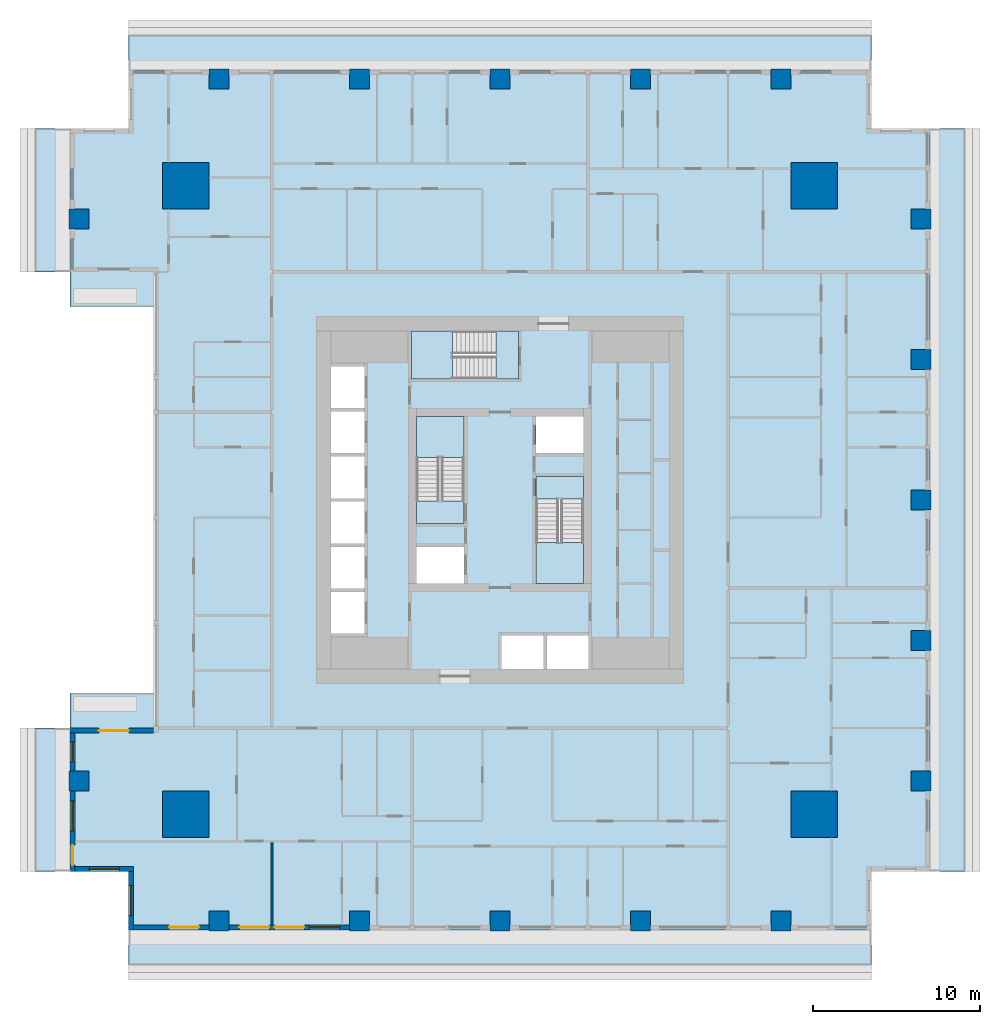
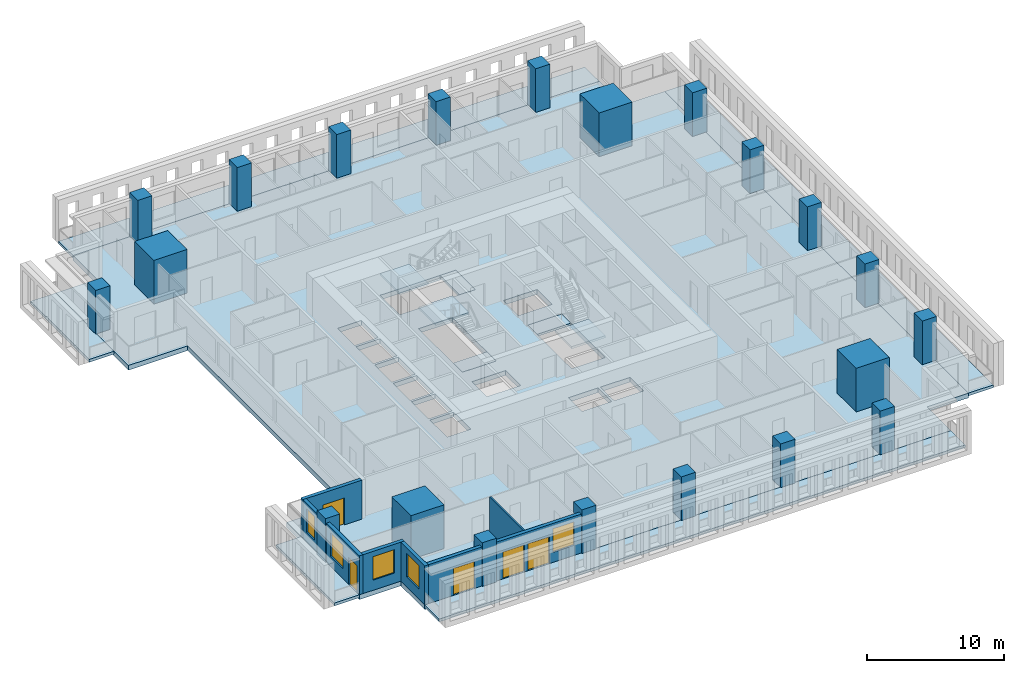
# One storey, part 1 of 15: 21 columns, 12 slabs, 8 walls, 5 doors, 5 windows, 10 openings, 3 elements without a shape of their own.
"""IFC4 building model written with IfcOpenShell, lengths in metres."""

import ifcopenshell
import ifcopenshell.guid

model = None  # the IFC model being written
_history = None  # IfcOwnerHistory: only IFC2X3 demands one
_inside = {}  # id of a spatial element -> (the spatial element, [elements in it])
_under = {}  # id of a project, library or spatial element -> (it, [spatial elements below it])
_declared = {}  # id of a project -> (the project, [libraries it declares])
_typed = {}  # id of a type object -> (the type object, [elements of that type])
_made_of = {}  # id of a material, layer set ... -> (it, [elements and type objects made of it])


def new_model(schema):
    """Start an empty IFC model of exactly this schema.

    Asked for "IFC4X3", IfcOpenShell would pick the latest addendum, in which some entities
    have other attributes; the version numbers below select the first issue.
    IFC2X3 requires an IfcOwnerHistory on every rooted entity: one is made here for all.
    """
    global model, _history
    if schema == "IFC4X3":
        model = ifcopenshell.file(schema_version=(4, 3, 0, 0))
    else:
        model = ifcopenshell.file(schema=schema)
    _inside.clear()
    _under.clear()
    _declared.clear()
    _typed.clear()
    _made_of.clear()
    _history = None
    if model.schema == "IFC2X3":
        org = make("IfcOrganization", Name="unknown")
        user = make(
            "IfcPersonAndOrganization",
            ThePerson=make("IfcPerson", FamilyName="unknown"),
            TheOrganization=org,
        )
        app = make(
            "IfcApplication",
            ApplicationDeveloper=org,
            Version="unknown",
            ApplicationFullName="unknown",
            ApplicationIdentifier="unknown",
        )
        _history = make(
            "IfcOwnerHistory",
            OwningUser=user,
            OwningApplication=app,
            ChangeAction="ADDED",
            CreationDate=0,
        )
    return model


def make(cls, **values):
    """One entity of the class cls with the attributes given. An attribute that is None is left unset."""
    return model.create_entity(
        cls, **{name: value for name, value in values.items() if value is not None}
    )


def rooted(cls, **values):
    """An entity with a GlobalId (a new one), such as an element, a storey or a relation."""
    return make(cls, GlobalId=ifcopenshell.guid.new(), OwnerHistory=_history, **values)


def si_unit(unit_type, name, prefix=None):
    """IfcSIUnit, for example si_unit("LENGTHUNIT", "METRE", prefix="MILLI")."""
    return make("IfcSIUnit", UnitType=unit_type, Prefix=prefix, Name=name)


def assignment(units):
    """IfcUnitAssignment: the units of a project."""
    return None if units is None else make("IfcUnitAssignment", Units=units)


def point(xyz):
    """IfcCartesianPoint."""
    return None if xyz is None else make("IfcCartesianPoint", Coordinates=xyz)


def direction(xyz):
    """IfcDirection."""
    return None if xyz is None else make("IfcDirection", DirectionRatios=xyz)


def frame(location, z_axis=None, x_axis=None):
    """IfcAxis2Placement3D, a coordinate frame: its origin and axes. An axis left out is left unset."""
    return make(
        "IfcAxis2Placement3D",
        Location=point(location),
        Axis=direction(z_axis),
        RefDirection=direction(x_axis),
    )


def frame_2d(location, x_axis=None):
    """IfcAxis2Placement2D, a coordinate frame in the plane: its origin and x axis."""
    return make(
        "IfcAxis2Placement2D", Location=point(location), RefDirection=direction(x_axis)
    )


def origin():
    """The frame at (0, 0, 0) with its axes left unset."""
    return frame((0.0, 0.0, 0.0))


def origin_2d():
    """The frame at (0, 0) in the plane with its x axis left unset."""
    return frame_2d((0.0, 0.0))


def place(relative_to, where):
    """IfcLocalPlacement: puts the frame where relative to a parent placement (None: the world)."""
    return make(
        "IfcLocalPlacement", PlacementRelTo=relative_to, RelativePlacement=where
    )


def context(
    kind, dimensions, precision=None, world=None, true_north=None, identifier=None
):
    """IfcGeometricRepresentationContext, for example the 3D "Model" context."""
    return make(
        "IfcGeometricRepresentationContext",
        ContextIdentifier=identifier,
        ContextType=kind,
        CoordinateSpaceDimension=dimensions,
        Precision=precision,
        WorldCoordinateSystem=world,
        TrueNorth=true_north,
    )


def subcontext(parent, identifier, kind, view, scale=None):
    """IfcGeometricRepresentationSubContext, for example "Body" below "Model"."""
    return make(
        "IfcGeometricRepresentationSubContext",
        ContextIdentifier=identifier,
        ContextType=kind,
        ParentContext=parent,
        TargetScale=scale,
        TargetView=view,
    )


def project(units=None, contexts=None):
    """IfcProject with its units and contexts."""
    return rooted(
        "IfcProject",
        Name="project",
        RepresentationContexts=contexts,
        UnitsInContext=assignment(units),
    )


def spatial(cls, under=None, at=None, **own):
    """A site, building, storey or space (cls), placed at a placement, below another one or the project."""
    s = rooted(cls, ObjectPlacement=at, **own)
    if under is not None:
        _under.setdefault(under.id(), (under, []))[1].append(s)
    return s


def polyline(points):
    """IfcPolyline through the points."""
    return make("IfcPolyline", Points=[point(p) for p in points])


def profile(cls, at=None, kind="AREA", **sizes):
    """A parametric profile (cls). Its sizes go by their IFC names, for example OverallWidth=200.0."""
    return make(cls, ProfileType=kind, Position=at, **sizes)


def rectangle(**sizes):
    """IfcRectangleProfileDef."""
    return profile("IfcRectangleProfileDef", **sizes)


def outline(outer, holes=None, kind="AREA"):
    """IfcArbitraryClosedProfileDef: a profile drawn as a closed curve; with holes, ...WithVoids."""
    if holes is None:
        return make("IfcArbitraryClosedProfileDef", ProfileType=kind, OuterCurve=outer)
    return make(
        "IfcArbitraryProfileDefWithVoids",
        ProfileType=kind,
        OuterCurve=outer,
        InnerCurves=holes,
    )


def extrude(swept, where, along, depth):
    """IfcExtrudedAreaSolid: the profile swept, set in the frame where, extruded along a direction by depth."""
    return make(
        "IfcExtrudedAreaSolid",
        SweptArea=swept,
        Position=where,
        ExtrudedDirection=direction(along),
        Depth=depth,
    )


def shape(context_of_items, identifier, shape_type, items):
    """IfcShapeRepresentation: the items that make up one representation, for example the "Body"."""
    return make(
        "IfcShapeRepresentation",
        ContextOfItems=context_of_items,
        RepresentationIdentifier=identifier,
        RepresentationType=shape_type,
        Items=items,
    )


def material(Name=None, Category=None):
    """IfcMaterial."""
    return make("IfcMaterial", Name=Name, Category=Category)


def layer(
    of_material, thickness, ventilated=None, Name=None, Category=None, Priority=None
):
    """IfcMaterialLayer: one layer of a wall or slab, of a material (None: an air gap)."""
    return make(
        "IfcMaterialLayer",
        Material=of_material,
        LayerThickness=thickness,
        IsVentilated=ventilated,
        Name=Name,
        Category=Category,
        Priority=Priority,
    )


def layer_set(layers, Name=None):
    """IfcMaterialLayerSet."""
    return make("IfcMaterialLayerSet", MaterialLayers=layers, LayerSetName=Name)


def material_profile(
    of_material, cross_section, Name=None, Category=None, Priority=None
):
    """IfcMaterialProfile: a cross section and its material."""
    return make(
        "IfcMaterialProfile",
        Name=Name,
        Material=of_material,
        Profile=cross_section,
        Priority=Priority,
        Category=Category,
    )


def profile_set(profiles, Name=None, composite=None):
    """IfcMaterialProfileSet."""
    return make(
        "IfcMaterialProfileSet",
        Name=Name,
        MaterialProfiles=profiles,
        CompositeProfile=composite,
    )


def made_of(thing, what):
    """Note that an element or type object is made of a material, layer set ...; save() writes the relation."""
    if what is not None:
        _made_of.setdefault(what.id(), (what, []))[1].append(thing)
    return thing


def type_object(cls, material=None, **own):
    """A type object (cls), such as IfcWallType, which elements share."""
    return made_of(rooted(cls, **own), material)


def element(
    cls,
    number,
    at=None,
    inside=None,
    cuts=None,
    type_object=None,
    material=None,
    context=None,
    identifier="Body",
    shape_type=None,
    held_by="IfcProductDefinitionShape",
    body=None,
    shapes=None,
    **own,
):
    """One element of the class cls, such as IfcWall. Its Tag is "e" and its number.

    at: its placement. inside: the storey or other place that contains it. cuts: it is an
    opening in that element (IfcRelVoidsElement). A single representation is given by context,
    identifier, shape_type and body (its items); several are given by shapes. held_by: the class
    of the entity that holds the representations. save() writes the other relations.
    """
    e = rooted(cls, Tag="e%d" % number, ObjectPlacement=at, **own)
    if body is not None:
        shapes = [shape(context, identifier, shape_type, body)]
    if shapes is not None:
        e.Representation = make(held_by, Representations=shapes)
    if inside is not None:
        _inside.setdefault(inside.id(), (inside, []))[1].append(e)
    if cuts is not None:
        rooted(
            "IfcRelVoidsElement", RelatingBuildingElement=cuts, RelatedOpeningElement=e
        )
    if type_object is not None:
        _typed.setdefault(type_object.id(), (type_object, []))[1].append(e)
    return made_of(e, material)


def fill(opening, filler):
    """IfcRelFillsElement: the door or window that sits in an opening."""
    return rooted(
        "IfcRelFillsElement",
        RelatingOpeningElement=opening,
        RelatedBuildingElement=filler,
    )


def aggregate(whole, parts):
    """IfcRelAggregates: a whole, such as a stair, and the parts it consists of."""
    return rooted("IfcRelAggregates", RelatingObject=whole, RelatedObjects=parts)


def save(model, path):
    """Write the relations noted so far, then the file.

    IfcRelAggregates (storeys below a building ...), IfcRelContainedInSpatialStructure (elements
    in a storey), IfcRelDefinesByType, IfcRelAssociatesMaterial and IfcRelDeclares: one each for
    every whole, place, type object, material and project.
    """
    for whole, parts in _under.values():
        aggregate(whole, parts)
    for where, things in _inside.values():
        rooted(
            "IfcRelContainedInSpatialStructure",
            RelatedElements=things,
            RelatingStructure=where,
        )
    for kind, things in _typed.values():
        rooted("IfcRelDefinesByType", RelatedObjects=things, RelatingType=kind)
    for what, things in _made_of.values():
        rooted("IfcRelAssociatesMaterial", RelatedObjects=things, RelatingMaterial=what)
    for by, libraries in _declared.values():
        rooted("IfcRelDeclares", RelatingContext=by, RelatedDefinitions=libraries)
    model.write(path)


model = new_model("IFC4")

# Units and contexts
model_context = context("Model", 3, precision=1e-05, world=origin(), true_north=direction((0.0, 1.0)))
body_context = subcontext(model_context, "Body", "Model", "MODEL_VIEW")
ifc_project = project(units=[si_unit("LENGTHUNIT", "METRE"), si_unit("AREAUNIT", "SQUARE_METRE"), si_unit("VOLUMEUNIT", "CUBIC_METRE"), si_unit("PLANEANGLEUNIT", "RADIAN"), si_unit("MASSUNIT", "GRAM", prefix="KILO")], contexts=[model_context])

# Site, building, storey
site_placement = place(None, origin())
site = spatial("IfcSite", under=ifc_project, at=site_placement, CompositionType="ELEMENT")
building_placement = place(site_placement, origin())
building = spatial("IfcBuilding", under=site, at=building_placement, Name="Khepri Terraces", CompositionType="ELEMENT")
storey_placement = place(building_placement, frame((0.0, 0.0, 118.199951171875)))
storey = spatial("IfcBuildingStorey", under=building, at=storey_placement, Name="L28", CompositionType="ELEMENT", Elevation=118.199951171875)

# Columns
ifc_material_1 = material(Name="Concrete C70/85", Category="concrete")
ifc_material_profile_1 = material_profile(ifc_material_1, rectangle(XDim=2.800048828125, YDim=2.800048828125, at=origin_2d()), Name="Concrete C70/85", Category="concrete")
ifc_profile_set_1 = profile_set([ifc_material_profile_1], Name="Concrete C70/85")
column_type_1 = type_object("IfcColumnType", Name="Mega column RC 2800x2800 C70/85", PredefinedType="COLUMN", material=ifc_profile_set_1)
for number, where, z_axis, x_axis, name in (
    (1, (18.800048828125, 18.800048828125, 0.0), (0.0, 0.0, 1.0), (1.0, 0.0, 0.0), "Mega column MEN L28"),
    (2, (18.800048828125, -18.800048828125, 0.0), (0.0, 0.0, 1.0), (1.0, 0.0, 0.0), "Mega column MES L28"),
    (3, (-18.800048828125, 18.800048828125, 0.0), (0.0, 0.0, 1.0), (1.0, 0.0, 0.0), "Mega column MWN L28"),
    (4, (-18.800048828125, -18.800048828125, 0.0), (0.0, 0.0, 1.0), (1.0, 0.0, 0.0), "Mega column MWS L28"),
):
    element("IfcColumn", number, at=place(storey_placement, frame(where, z_axis=z_axis, x_axis=x_axis)), inside=storey, type_object=column_type_1, Name=name, PredefinedType="COLUMN", context=body_context, shape_type="SweptSolid", body=[
        extrude(rectangle(XDim=2.800048828125, YDim=2.800048828125, at=origin_2d()), origin(), (0.0, 0.0, 1.0), 3.900146484375),
    ])
ifc_material_profile_2 = material_profile(ifc_material_1, rectangle(XDim=1.199951171875, YDim=1.199951171875, at=origin_2d()), Name="Concrete C70/85", Category="concrete")
ifc_profile_set_2 = profile_set([ifc_material_profile_2], Name="Concrete C70/85")
column_type_2 = type_object("IfcColumnType", Name="Tower column RC 1200x1200 C70/85", PredefinedType="COLUMN", material=ifc_profile_set_2)
for number, where, z_axis, x_axis, name in (
    (5, (25.199951171875, 0.0, 0.0), (0.0, 0.0, 1.0), (1.0, 0.0, 0.0), "Perimeter column PE+000a L28"),
    (6, (25.199951171875, 8.39990234375, 0.0), (0.0, 0.0, 1.0), (1.0, 0.0, 0.0), "Perimeter column PE+084a L28"),
    (7, (25.199951171875, 16.800048828125, 0.0), (0.0, 0.0, 1.0), (1.0, 0.0, 0.0), "Perimeter column PE+168a L28"),
    (8, (25.199951171875, -8.39990234375, 0.0), (0.0, 0.0, 1.0), (1.0, 0.0, 0.0), "Perimeter column PE-084a L28"),
    (9, (25.199951171875, -16.800048828125, 0.0), (0.0, 0.0, 1.0), (1.0, 0.0, 0.0), "Perimeter column PE-168a L28"),
    (10, (0.0, 25.199951171875, 0.0), (0.0, 0.0, 1.0), (1.0, 0.0, 0.0), "Perimeter column PN+000a L28"),
    (11, (-8.39990234375, 25.199951171875, 0.0), (0.0, 0.0, 1.0), (1.0, 0.0, 0.0), "Perimeter column PN+084a L28"),
    (12, (-16.800048828125, 25.199951171875, 0.0), (0.0, 0.0, 1.0), (1.0, 0.0, 0.0), "Perimeter column PN+168a L28"),
    (13, (8.39990234375, 25.199951171875, 0.0), (0.0, 0.0, 1.0), (1.0, 0.0, 0.0), "Perimeter column PN-084a L28"),
    (14, (16.800048828125, 25.199951171875, 0.0), (0.0, 0.0, 1.0), (1.0, 0.0, 0.0), "Perimeter column PN-168a L28"),
    (15, (0.0, -25.199951171875, 0.0), (0.0, 0.0, 1.0), (1.0, 0.0, 0.0), "Perimeter column PS+000b L28"),
    (16, (8.39990234375, -25.199951171875, 0.0), (0.0, 0.0, 1.0), (1.0, 0.0, 0.0), "Perimeter column PS+084b L28"),
    (17, (16.800048828125, -25.199951171875, 0.0), (0.0, 0.0, 1.0), (1.0, 0.0, 0.0), "Perimeter column PS+168a L28"),
    (18, (-8.39990234375, -25.199951171875, 0.0), (0.0, 0.0, 1.0), (1.0, 0.0, 0.0), "Perimeter column PS-084b L28"),
    (19, (-16.800048828125, -25.199951171875, 0.0), (0.0, 0.0, 1.0), (1.0, 0.0, 0.0), "Perimeter column PS-168a L28"),
    (20, (-25.199951171875, -16.800048828125, 0.0), (0.0, 0.0, 1.0), (1.0, 0.0, 0.0), "Perimeter column PW+168a L28"),
    (21, (-25.199951171875, 16.800048828125, 0.0), (0.0, 0.0, 1.0), (1.0, 0.0, 0.0), "Perimeter column PW-168a L28"),
):
    element("IfcColumn", number, at=place(storey_placement, frame(where, z_axis=z_axis, x_axis=x_axis)), inside=storey, type_object=column_type_2, Name=name, PredefinedType="COLUMN", context=body_context, shape_type="SweptSolid", body=[
        extrude(rectangle(XDim=1.199951171875, YDim=1.199951171875, at=origin_2d()), origin(), (0.0, 0.0, 1.0), 3.900146484375),
    ])

# Slabs
ifc_material_2 = material(Name="Concrete C40/50", Category="concrete")
ifc_layer_1 = layer(ifc_material_2, 0.419921875, Name="Concrete C40/50", Category="concrete")
ifc_layer_set_1 = layer_set([ifc_layer_1], Name="Concrete C40/50")
slab_type_1 = type_object("IfcSlabType", Name="Flat plate 420", PredefinedType="FLOOR", material=ifc_layer_set_1)
slab_1_placement = place(storey_placement, frame((0.0, 0.0, -0.419921875)))
element("IfcSlab", 22, at=slab_1_placement, inside=storey, type_object=slab_type_1, Name="Floor slab F01 L28", PredefinedType="FLOOR", context=body_context, shape_type="SweptSolid", body=[
    extrude(outline(polyline([(22.219970703125, -25.719970703125), (-22.219970703125, -25.719970703125), (-22.219970703125, -22.219970703125), (-25.719970703125, -22.219970703125), (-25.719970703125, -13.64990234375), (-25.719970703125, -11.550048828125), (-20.719970703125, -11.550048828125), (-20.719970703125, 11.550048828125), (-25.719970703125, 11.550048828125), (-25.719970703125, 13.64990234375), (-25.719970703125, 22.219970703125), (-22.219970703125, 22.219970703125), (-22.219970703125, 25.719970703125), (22.219970703125, 25.719970703125), (22.219970703125, 22.219970703125), (25.719970703125, 22.219970703125), (25.719970703125, -22.219970703125), (22.219970703125, -22.219970703125), (22.219970703125, -25.719970703125)]), holes=[polyline([(5.0, 5.0), (2.14990234375, 5.0), (2.14990234375, 2.800048828125), (5.0, 2.800048828125), (5.0, 5.0)]), polyline([(-2.14990234375, -5.0), (-2.14990234375, -2.800048828125), (-5.0, -2.800048828125), (-5.0, -5.0), (-2.14990234375, -5.0)]), polyline([(-10.10009765625, -8.0), (-8.10009765625, -8.0), (-8.10009765625, -5.5), (-10.10009765625, -5.5), (-10.10009765625, -8.0)]), polyline([(-10.10009765625, -2.800048828125), (-10.10009765625, -5.300048828125), (-8.10009765625, -5.300048828125), (-8.10009765625, -2.800048828125), (-10.10009765625, -2.800048828125)]), polyline([(-8.10009765625, -0.10009765625), (-10.10009765625, -0.10009765625), (-10.10009765625, -2.60009765625), (-8.10009765625, -2.60009765625), (-8.10009765625, -0.10009765625)]), polyline([(-8.10009765625, 0.10009765625), (-8.10009765625, 2.60009765625), (-10.10009765625, 2.60009765625), (-10.10009765625, 0.10009765625), (-8.10009765625, 0.10009765625)]), polyline([(-10.10009765625, 2.800048828125), (-8.10009765625, 2.800048828125), (-8.10009765625, 5.300048828125), (-10.10009765625, 5.300048828125), (-10.10009765625, 2.800048828125)]), polyline([(-10.10009765625, 8.0), (-10.10009765625, 5.5), (-8.10009765625, 5.5), (-8.10009765625, 8.0), (-10.10009765625, 8.0)]), polyline([(2.60009765625, -8.10009765625), (0.10009765625, -8.10009765625), (0.10009765625, -10.10009765625), (2.60009765625, -10.10009765625), (2.60009765625, -8.10009765625)]), polyline([(5.300048828125, -10.10009765625), (5.300048828125, -8.10009765625), (2.800048828125, -8.10009765625), (2.800048828125, -10.10009765625), (5.300048828125, -10.10009765625)]), polyline([(-5.0, -1.39990234375), (-2.14990234375, -1.39990234375), (-2.14990234375, 5.0), (-5.0, 5.0), (-5.0, -1.39990234375)]), polyline([(5.0, -5.0), (5.0, 1.39990234375), (2.14990234375, 1.39990234375), (2.14990234375, -5.0), (5.0, -5.0)]), polyline([(-5.300048828125, 10.10009765625), (-5.300048828125, 7.25), (1.10009765625, 7.25), (1.10009765625, 10.10009765625), (-5.300048828125, 10.10009765625)])]), origin(), (0.0, 0.0, 1.0), 0.419921875),
])
ifc_material_3 = material(Name="Precast concrete C50/60 warm stone", Category="masonry")
ifc_layer_2 = layer(ifc_material_3, 0.25, Name="Precast concrete C50/60 warm stone", Category="masonry")
ifc_layer_set_2 = layer_set([ifc_layer_2], Name="Precast concrete C50/60 warm stone")
slab_type_2 = type_object("IfcSlabType", Name="SLB-BALCONY-250", PredefinedType="FLOOR", material=ifc_layer_set_2)
slab_2_placement = place(storey_placement, frame((0.0, 0.0, -0.25)))
element("IfcSlab", 23, at=slab_2_placement, inside=storey, type_object=slab_type_2, Name="Balcony slab L28 S", PredefinedType="FLOOR", context=body_context, shape_type="SweptSolid", body=[
    extrude(outline(polyline([(-17.39990234375, -25.719970703125), (-22.219970703125, -25.719970703125), (-22.219970703125, -27.820068359375), (22.219970703125, -27.820068359375), (22.219970703125, -25.719970703125), (17.39990234375, -25.719970703125), (17.39990234375, -25.800048828125), (16.199951171875, -25.800048828125), (16.199951171875, -25.719970703125), (9.0, -25.719970703125), (9.0, -25.800048828125), (7.800048828125, -25.800048828125), (7.800048828125, -25.719970703125), (0.60009765625, -25.719970703125), (0.60009765625, -25.800048828125), (-0.60009765625, -25.800048828125), (-0.60009765625, -25.719970703125), (-7.800048828125, -25.719970703125), (-7.800048828125, -25.800048828125), (-9.0, -25.800048828125), (-9.0, -25.719970703125), (-16.199951171875, -25.719970703125), (-16.199951171875, -25.800048828125), (-17.39990234375, -25.800048828125), (-17.39990234375, -25.719970703125)])), origin(), (0.0, 0.0, 1.0), 0.25),
])
slab_3_placement = place(storey_placement, frame((0.0, 0.0, -0.25)))
element("IfcSlab", 24, at=slab_3_placement, inside=storey, type_object=slab_type_2, Name="Balcony slab L28 E", PredefinedType="FLOOR", context=body_context, shape_type="SweptSolid", body=[
    extrude(outline(polyline([(25.719970703125, -17.39990234375), (25.719970703125, -22.219970703125), (27.820068359375, -22.219970703125), (27.820068359375, 22.219970703125), (25.719970703125, 22.219970703125), (25.719970703125, 17.39990234375), (25.800048828125, 17.39990234375), (25.800048828125, 16.199951171875), (25.719970703125, 16.199951171875), (25.719970703125, 9.0), (25.800048828125, 9.0), (25.800048828125, 7.800048828125), (25.719970703125, 7.800048828125), (25.719970703125, 0.60009765625), (25.800048828125, 0.60009765625), (25.800048828125, -0.60009765625), (25.719970703125, -0.60009765625), (25.719970703125, -7.800048828125), (25.800048828125, -7.800048828125), (25.800048828125, -9.0), (25.719970703125, -9.0), (25.719970703125, -16.199951171875), (25.800048828125, -16.199951171875), (25.800048828125, -17.39990234375), (25.719970703125, -17.39990234375)])), origin(), (0.0, 0.0, 1.0), 0.25),
])
slab_4_placement = place(storey_placement, frame((0.0, 0.0, -0.25)))
element("IfcSlab", 25, at=slab_4_placement, inside=storey, type_object=slab_type_2, Name="Balcony slab L28 N", PredefinedType="FLOOR", context=body_context, shape_type="SweptSolid", body=[
    extrude(outline(polyline([(17.39990234375, 25.719970703125), (22.219970703125, 25.719970703125), (22.219970703125, 27.820068359375), (-22.219970703125, 27.820068359375), (-22.219970703125, 25.719970703125), (-17.39990234375, 25.719970703125), (-17.39990234375, 25.800048828125), (-16.199951171875, 25.800048828125), (-16.199951171875, 25.719970703125), (-9.0, 25.719970703125), (-9.0, 25.800048828125), (-7.800048828125, 25.800048828125), (-7.800048828125, 25.719970703125), (-0.60009765625, 25.719970703125), (-0.60009765625, 25.800048828125), (0.60009765625, 25.800048828125), (0.60009765625, 25.719970703125), (7.800048828125, 25.719970703125), (7.800048828125, 25.800048828125), (9.0, 25.800048828125), (9.0, 25.719970703125), (16.199951171875, 25.719970703125), (16.199951171875, 25.800048828125), (17.39990234375, 25.800048828125), (17.39990234375, 25.719970703125)])), origin(), (0.0, 0.0, 1.0), 0.25),
])
slab_5_placement = place(storey_placement, frame((0.0, 0.0, -0.25)))
element("IfcSlab", 26, at=slab_5_placement, inside=storey, type_object=slab_type_2, Name="Balcony slab L28 W", PredefinedType="FLOOR", context=body_context, shape_type="SweptSolid", body=[
    extrude(outline(polyline([(-25.719970703125, 17.39990234375), (-25.719970703125, 22.219970703125), (-27.820068359375, 22.219970703125), (-27.820068359375, 13.64990234375), (-25.719970703125, 13.64990234375), (-25.719970703125, 16.199951171875), (-25.800048828125, 16.199951171875), (-25.800048828125, 17.39990234375), (-25.719970703125, 17.39990234375)])), origin(), (0.0, 0.0, 1.0), 0.25),
])
slab_6_placement = place(storey_placement, frame((0.0, 0.0, -0.25)))
element("IfcSlab", 27, at=slab_6_placement, inside=storey, type_object=slab_type_2, Name="Balcony slab L28 W", PredefinedType="FLOOR", context=body_context, shape_type="SweptSolid", body=[
    extrude(outline(polyline([(-25.719970703125, -16.199951171875), (-25.719970703125, -13.64990234375), (-27.820068359375, -13.64990234375), (-27.820068359375, -22.219970703125), (-25.719970703125, -22.219970703125), (-25.719970703125, -17.39990234375), (-25.800048828125, -17.39990234375), (-25.800048828125, -16.199951171875), (-25.719970703125, -16.199951171875)])), origin(), (0.0, 0.0, 1.0), 0.25),
])

# Stair, slabs
stair_type = type_object("IfcStairType", Name="STAIR-RC-22R", PredefinedType="HALF_TURN_STAIR", material=ifc_material_2)
stair_1_placement = place(storey_placement, origin())
stair_1 = element("IfcStair", 28, at=stair_1_placement, inside=storey, type_object=stair_type, Name="L28 Exit Stair ST-1", PredefinedType="HALF_TURN_STAIR")
ifc_layer_3 = layer(ifc_material_2, 0.199951171875, Name="Concrete C40/50", Category="concrete")
ifc_layer_set_3 = layer_set([ifc_layer_3], Name="Concrete C40/50")
slab_type_3 = type_object("IfcSlabType", Name="SLB-CORE-LANDING", PredefinedType="LANDING", material=ifc_layer_set_3)
slab_7_placement = place(storey_placement, frame((0.0, 0.0, -0.199951171875)))
slab_7 = element("IfcSlab", 29, at=slab_7_placement, type_object=slab_type_3, Name="ST-1 landing 1", PredefinedType="LANDING", context=body_context, shape_type="SweptSolid", body=[
    extrude(outline(polyline([(-2.14990234375, -1.39990234375), (-2.14990234375, -0.050048828125), (-5.0, -0.050048828125), (-5.0, -1.39990234375), (-2.14990234375, -1.39990234375)])), origin(), (0.0, 0.0, 1.0), 0.199951171875),
])
slab_8_placement = place(storey_placement, frame((0.0, 0.0, 1.75)))
slab_8 = element("IfcSlab", 30, at=slab_8_placement, type_object=slab_type_3, Name="ST-1 landing 2", PredefinedType="LANDING", context=body_context, shape_type="SweptSolid", body=[
    extrude(outline(polyline([(-2.14990234375, 2.550048828125), (-2.14990234375, 5.0), (-5.0, 5.0), (-5.0, 2.550048828125), (-2.14990234375, 2.550048828125)])), origin(), (0.0, 0.0, 1.0), 0.199951171875),
])
aggregate(stair_1, [slab_7, slab_8])

stair_2_placement = place(storey_placement, origin())
stair_2 = element("IfcStair", 31, at=stair_2_placement, inside=storey, type_object=stair_type, Name="L28 Exit Stair ST-2", PredefinedType="HALF_TURN_STAIR")
slab_9_placement = place(storey_placement, frame((0.0, 0.0, -0.199951171875)))
slab_9 = element("IfcSlab", 32, at=slab_9_placement, type_object=slab_type_3, Name="ST-2 landing 1", PredefinedType="LANDING", context=body_context, shape_type="SweptSolid", body=[
    extrude(outline(polyline([(2.14990234375, 1.39990234375), (2.14990234375, 0.050048828125), (5.0, 0.050048828125), (5.0, 1.39990234375), (2.14990234375, 1.39990234375)])), origin(), (0.0, 0.0, 1.0), 0.199951171875),
])
slab_10_placement = place(storey_placement, frame((0.0, 0.0, 1.75)))
slab_10 = element("IfcSlab", 33, at=slab_10_placement, type_object=slab_type_3, Name="ST-2 landing 2", PredefinedType="LANDING", context=body_context, shape_type="SweptSolid", body=[
    extrude(outline(polyline([(2.14990234375, -2.550048828125), (2.14990234375, -5.0), (5.0, -5.0), (5.0, -2.550048828125), (2.14990234375, -2.550048828125)])), origin(), (0.0, 0.0, 1.0), 0.199951171875),
])
aggregate(stair_2, [slab_9, slab_10])

stair_3_placement = place(storey_placement, origin())
stair_3 = element("IfcStair", 34, at=stair_3_placement, inside=storey, type_object=stair_type, Name="L28 Exit Stair ST-3", PredefinedType="HALF_TURN_STAIR")
slab_11_placement = place(storey_placement, frame((0.0, 0.0, -0.199951171875)))
slab_11 = element("IfcSlab", 35, at=slab_11_placement, type_object=slab_type_3, Name="ST-3 landing 1", PredefinedType="LANDING", context=body_context, shape_type="SweptSolid", body=[
    extrude(outline(polyline([(1.10009765625, 10.10009765625), (-0.25, 10.10009765625), (-0.25, 7.25), (1.10009765625, 7.25), (1.10009765625, 10.10009765625)])), origin(), (0.0, 0.0, 1.0), 0.199951171875),
])
slab_12_placement = place(storey_placement, frame((0.0, 0.0, 1.75)))
slab_12 = element("IfcSlab", 36, at=slab_12_placement, type_object=slab_type_3, Name="ST-3 landing 2", PredefinedType="LANDING", context=body_context, shape_type="SweptSolid", body=[
    extrude(outline(polyline([(-2.85009765625, 10.10009765625), (-5.300048828125, 10.10009765625), (-5.300048828125, 7.25), (-2.85009765625, 7.25), (-2.85009765625, 10.10009765625)])), origin(), (0.0, 0.0, 1.0), 0.199951171875),
])
aggregate(stair_3, [slab_11, slab_12])

# Wall, opening, door
ifc_layer_4 = layer(ifc_material_3, 0.300048828125, Name="Precast concrete C50/60 warm stone", Category="masonry")
ifc_layer_set_4 = layer_set([ifc_layer_4], Name="Precast concrete C50/60 warm stone")
wall_type_1 = type_object("IfcWallType", Name="WL-EXT-PRECAST-300", PredefinedType="STANDARD", material=ifc_layer_set_4)
wall_1_placement = place(storey_placement, frame((-20.719970703125, -13.800048828125, 0.0), z_axis=(0.0, 0.0, 1.0), x_axis=(-1.0, 0.0, 0.0)))
wall_1 = element("IfcWall", 37, at=wall_1_placement, inside=storey, type_object=wall_type_1, Name="External wall L28 N", PredefinedType="STANDARD", context=body_context, shape_type="SweptSolid", body=[
    extrude(rectangle(XDim=5.0, YDim=0.300048828125, at=frame_2d((2.5, 0.0))), origin(), (0.0, 0.0, 1.0), 3.47998046875),
])
opening_1_placement = place(wall_1_placement, frame((1.47998046875, 0.0, 0.0)))
opening_1 = element("IfcOpeningElement", 38, at=opening_1_placement, cuts=wall_1, Name="Opening ED-L28-18", PredefinedType="OPENING", context=body_context, shape_type="SweptSolid", body=[
    extrude(rectangle(XDim=1.800048828125, YDim=2.39990234375, at=frame_2d((0.89990234375, 1.199951171875))), frame((0.0, 0.16015625, 0.0), z_axis=(0.0, -1.0, 0.0), x_axis=(1.0, 0.0, 0.0)), (0.0, 0.0, 1.0), 0.320068359375),
])
ifc_material_4 = material(Name="Anodised aluminium bronze glazed door", Category="aluminium")
door_type_1 = type_object("IfcDoorType", Name="DR-BAL-SLIDE-1800x2400", OperationType="NOTDEFINED", PredefinedType="DOOR", material=ifc_material_4)
door_1_placement = place(opening_1_placement, origin())
door_1 = element("IfcDoor", 39, at=door_1_placement, inside=storey, type_object=door_type_1, Name="Balcony door L28 N", OperationType="SLIDING_TO_RIGHT", OverallHeight=2.39990234375, OverallWidth=1.800048828125, PredefinedType="DOOR", context=body_context, shape_type="SweptSolid", body=[
    extrude(rectangle(XDim=1.800048828125, YDim=2.39990234375, at=frame_2d((0.89990234375, 1.199951171875))), frame((0.0, 0.02490234375, 0.0), z_axis=(0.0, -1.0, 0.0), x_axis=(1.0, 0.0, 0.0)), (0.0, 0.0, 1.0), 0.050048828125),
])
fill(opening_1, door_1)

# Wall, opening, window
wall_2_placement = place(storey_placement, frame((-25.570068359375, -13.949951171875, 0.0), z_axis=(0.0, 0.0, 1.0), x_axis=(0.0, -1.0, 0.0)))
wall_2 = element("IfcWall", 40, at=wall_2_placement, inside=storey, type_object=wall_type_1, Name="External wall L28 W", PredefinedType="STANDARD", context=body_context, shape_type="SweptSolid", body=[
    extrude(rectangle(XDim=2.25, YDim=0.300048828125, at=frame_2d((1.125, 0.0))), origin(), (0.0, 0.0, 1.0), 3.47998046875),
])
opening_2_placement = place(wall_2_placement, frame((0.52490234375, 0.0, 0.89990234375)))
opening_2 = element("IfcOpeningElement", 41, at=opening_2_placement, cuts=wall_2, Name="Opening W4", PredefinedType="OPENING", context=body_context, shape_type="SweptSolid", body=[
    extrude(rectangle(XDim=1.199951171875, YDim=2.10009765625, at=frame_2d((0.60009765625, 1.050048828125))), frame((0.0, 0.16015625, 0.0), z_axis=(0.0, -1.0, 0.0), x_axis=(1.0, 0.0, 0.0)), (0.0, 0.0, 1.0), 0.320068359375),
])
ifc_material_5 = material(Name="Clear glass", Category="glass")
window_type_1 = type_object("IfcWindowType", Name="WIN-RES-1200x2100", PartitioningType="SINGLE_PANEL", PredefinedType="WINDOW", material=ifc_material_5)
window_1_placement = place(opening_2_placement, origin())
window_1 = element("IfcWindow", 42, at=window_1_placement, inside=storey, type_object=window_type_1, Name="Window L28 W", OverallHeight=2.10009765625, OverallWidth=1.199951171875, PartitioningType="SINGLE_PANEL", PredefinedType="WINDOW", context=body_context, shape_type="SweptSolid", body=[
    extrude(rectangle(XDim=1.199951171875, YDim=2.10009765625, at=frame_2d((0.60009765625, 1.050048828125))), frame((0.0, 0.030029296875, 0.0), z_axis=(0.0, -1.0, 0.0), x_axis=(1.0, 0.0, 0.0)), (0.0, 0.0, 1.0), 0.06005859375),
])
fill(opening_2, window_1)

# Wall, openings, door, window
wall_3_placement = place(storey_placement, frame((-25.570068359375, -17.39990234375, 0.0), z_axis=(0.0, 0.0, 1.0), x_axis=(0.0, -1.0, 0.0)))
wall_3 = element("IfcWall", 43, at=wall_3_placement, inside=storey, type_object=wall_type_1, Name="External wall L28 W", PredefinedType="STANDARD", context=body_context, shape_type="SweptSolid", body=[
    extrude(rectangle(XDim=4.820068359375, YDim=0.300048828125, at=frame_2d((2.41015625, 0.0))), origin(), (0.0, 0.0, 1.0), 3.47998046875),
])
opening_3_placement = place(wall_3_placement, frame((0.60009765625, 0.0, 0.89990234375)))
opening_3 = element("IfcOpeningElement", 44, at=opening_3_placement, cuts=wall_3, Name="Opening W1", PredefinedType="OPENING", context=body_context, shape_type="SweptSolid", body=[
    extrude(rectangle(XDim=1.800048828125, YDim=2.10009765625, at=frame_2d((0.89990234375, 1.050048828125))), frame((0.0, 0.16015625, 0.0), z_axis=(0.0, -1.0, 0.0), x_axis=(1.0, 0.0, 0.0)), (0.0, 0.0, 1.0), 0.320068359375),
])
opening_4_placement = place(wall_3_placement, frame((3.2451171875, 0.0, 0.0)))
opening_4 = element("IfcOpeningElement", 45, at=opening_4_placement, cuts=wall_3, Name="Opening ED-L28-19", PredefinedType="OPENING", context=body_context, shape_type="SweptSolid", body=[
    extrude(rectangle(XDim=1.199951171875, YDim=2.39990234375, at=frame_2d((0.60009765625, 1.199951171875))), frame((0.0, 0.16015625, 0.0), z_axis=(0.0, -1.0, 0.0), x_axis=(1.0, 0.0, 0.0)), (0.0, 0.0, 1.0), 0.320068359375),
])
door_type_2 = type_object("IfcDoorType", Name="DR-BAL-SLIDE-1200x2400", OperationType="NOTDEFINED", PredefinedType="DOOR", material=ifc_material_4)
door_2_placement = place(opening_4_placement, origin())
door_2 = element("IfcDoor", 46, at=door_2_placement, inside=storey, type_object=door_type_2, Name="Balcony door L28 W", OperationType="SLIDING_TO_RIGHT", OverallHeight=2.39990234375, OverallWidth=1.199951171875, PredefinedType="DOOR", context=body_context, shape_type="SweptSolid", body=[
    extrude(rectangle(XDim=1.199951171875, YDim=2.39990234375, at=frame_2d((0.60009765625, 1.199951171875))), frame((0.0, 0.02490234375, 0.0), z_axis=(0.0, -1.0, 0.0), x_axis=(1.0, 0.0, 0.0)), (0.0, 0.0, 1.0), 0.050048828125),
])
fill(opening_4, door_2)
window_type_2 = type_object("IfcWindowType", Name="WIN-RES-1800x2100", PartitioningType="SINGLE_PANEL", PredefinedType="WINDOW", material=ifc_material_5)
window_2_placement = place(opening_3_placement, origin())
window_2 = element("IfcWindow", 47, at=window_2_placement, inside=storey, type_object=window_type_2, Name="Window L28 W", OverallHeight=2.10009765625, OverallWidth=1.800048828125, PartitioningType="SINGLE_PANEL", PredefinedType="WINDOW", context=body_context, shape_type="SweptSolid", body=[
    extrude(rectangle(XDim=1.800048828125, YDim=2.10009765625, at=frame_2d((0.89990234375, 1.050048828125))), frame((0.0, 0.030029296875, 0.0), z_axis=(0.0, -1.0, 0.0), x_axis=(1.0, 0.0, 0.0)), (0.0, 0.0, 1.0), 0.06005859375),
])
fill(opening_3, window_2)

# Wall, opening, window
wall_4_placement = place(storey_placement, frame((-25.419921875, -22.070068359375, 0.0), z_axis=(0.0, 0.0, 1.0), x_axis=(1.0, 0.0, 0.0)))
wall_4 = element("IfcWall", 48, at=wall_4_placement, inside=storey, type_object=wall_type_1, Name="External wall L28 S", PredefinedType="STANDARD", context=body_context, shape_type="SweptSolid", body=[
    extrude(rectangle(XDim=3.5, YDim=0.300048828125, at=frame_2d((1.75, 0.0))), origin(), (0.0, 0.0, 1.0), 3.47998046875),
])
opening_5_placement = place(wall_4_placement, frame((0.85009765625, 0.0, 0.89990234375)))
opening_5 = element("IfcOpeningElement", 49, at=opening_5_placement, cuts=wall_4, Name="Opening W1", PredefinedType="OPENING", context=body_context, shape_type="SweptSolid", body=[
    extrude(rectangle(XDim=1.800048828125, YDim=2.10009765625, at=frame_2d((0.89990234375, 1.050048828125))), frame((0.0, 0.16015625, 0.0), z_axis=(0.0, -1.0, 0.0), x_axis=(1.0, 0.0, 0.0)), (0.0, 0.0, 1.0), 0.320068359375),
])
window_3_placement = place(opening_5_placement, origin())
window_3 = element("IfcWindow", 50, at=window_3_placement, inside=storey, type_object=window_type_2, Name="Window L28 S", OverallHeight=2.10009765625, OverallWidth=1.800048828125, PartitioningType="SINGLE_PANEL", PredefinedType="WINDOW", context=body_context, shape_type="SweptSolid", body=[
    extrude(rectangle(XDim=1.800048828125, YDim=2.10009765625, at=frame_2d((0.89990234375, 1.050048828125))), frame((0.0, 0.030029296875, 0.0), z_axis=(0.0, -1.0, 0.0), x_axis=(1.0, 0.0, 0.0)), (0.0, 0.0, 1.0), 0.06005859375),
])
fill(opening_5, window_3)

wall_5_placement = place(storey_placement, frame((-22.070068359375, -22.219970703125, 0.0), z_axis=(0.0, 0.0, 1.0), x_axis=(0.0, -1.0, 0.0)))
wall_5 = element("IfcWall", 51, at=wall_5_placement, inside=storey, type_object=wall_type_1, Name="External wall L28 W", PredefinedType="STANDARD", context=body_context, shape_type="SweptSolid", body=[
    extrude(rectangle(XDim=3.5, YDim=0.300048828125, at=frame_2d((1.75, 0.0))), origin(), (0.0, 0.0, 1.0), 3.47998046875),
])
opening_6_placement = place(wall_5_placement, frame((0.85009765625, 0.0, 0.89990234375)))
opening_6 = element("IfcOpeningElement", 52, at=opening_6_placement, cuts=wall_5, Name="Opening W1", PredefinedType="OPENING", context=body_context, shape_type="SweptSolid", body=[
    extrude(rectangle(XDim=1.800048828125, YDim=2.10009765625, at=frame_2d((0.89990234375, 1.050048828125))), frame((0.0, 0.16015625, 0.0), z_axis=(0.0, -1.0, 0.0), x_axis=(1.0, 0.0, 0.0)), (0.0, 0.0, 1.0), 0.320068359375),
])
window_4_placement = place(opening_6_placement, origin())
window_4 = element("IfcWindow", 53, at=window_4_placement, inside=storey, type_object=window_type_2, Name="Window L28 W", OverallHeight=2.10009765625, OverallWidth=1.800048828125, PartitioningType="SINGLE_PANEL", PredefinedType="WINDOW", context=body_context, shape_type="SweptSolid", body=[
    extrude(rectangle(XDim=1.800048828125, YDim=2.10009765625, at=frame_2d((0.89990234375, 1.050048828125))), frame((0.0, 0.030029296875, 0.0), z_axis=(0.0, -1.0, 0.0), x_axis=(1.0, 0.0, 0.0)), (0.0, 0.0, 1.0), 0.06005859375),
])
fill(opening_6, window_4)

# Wall, opening, door
wall_6_placement = place(storey_placement, frame((-21.919921875, -25.570068359375, 0.0), z_axis=(0.0, 0.0, 1.0), x_axis=(1.0, 0.0, 0.0)))
wall_6 = element("IfcWall", 54, at=wall_6_placement, inside=storey, type_object=wall_type_1, Name="External wall L28 S", PredefinedType="STANDARD", context=body_context, shape_type="SweptSolid", body=[
    extrude(rectangle(XDim=4.52001953125, YDim=0.300048828125, at=frame_2d((2.260009765625, 0.0))), origin(), (0.0, 0.0, 1.0), 3.47998046875),
])
opening_7_placement = place(wall_6_placement, frame((2.1201171875, 0.0, 0.0)))
opening_7 = element("IfcOpeningElement", 55, at=opening_7_placement, cuts=wall_6, Name="Opening ED-L28-20", PredefinedType="OPENING", context=body_context, shape_type="SweptSolid", body=[
    extrude(rectangle(XDim=1.800048828125, YDim=2.39990234375, at=frame_2d((0.89990234375, 1.199951171875))), frame((0.0, 0.16015625, 0.0), z_axis=(0.0, -1.0, 0.0), x_axis=(1.0, 0.0, 0.0)), (0.0, 0.0, 1.0), 0.320068359375),
])
door_3_placement = place(opening_7_placement, origin())
door_3 = element("IfcDoor", 56, at=door_3_placement, inside=storey, type_object=door_type_1, Name="Balcony door L28 S", OperationType="SLIDING_TO_RIGHT", OverallHeight=2.39990234375, OverallWidth=1.800048828125, PredefinedType="DOOR", context=body_context, shape_type="SweptSolid", body=[
    extrude(rectangle(XDim=1.800048828125, YDim=2.39990234375, at=frame_2d((0.89990234375, 1.199951171875))), frame((0.0, 0.02490234375, 0.0), z_axis=(0.0, -1.0, 0.0), x_axis=(1.0, 0.0, 0.0)), (0.0, 0.0, 1.0), 0.050048828125),
])
fill(opening_7, door_3)

# Wall, openings, doors, window
wall_7_placement = place(storey_placement, frame((-16.199951171875, -25.570068359375, 0.0), z_axis=(0.0, 0.0, 1.0), x_axis=(1.0, 0.0, 0.0)))
wall_7 = element("IfcWall", 57, at=wall_7_placement, inside=storey, type_object=wall_type_1, Name="External wall L28 S", PredefinedType="STANDARD", context=body_context, shape_type="SweptSolid", body=[
    extrude(rectangle(XDim=7.199951171875, YDim=0.300048828125, at=frame_2d((3.60009765625, 0.0))), origin(), (0.0, 0.0, 1.0), 3.47998046875),
])
opening_8_placement = place(wall_7_placement, frame((0.60009765625, 0.0, 0.0)))
opening_8 = element("IfcOpeningElement", 58, at=opening_8_placement, cuts=wall_7, Name="Opening ED-L28-21", PredefinedType="OPENING", context=body_context, shape_type="SweptSolid", body=[
    extrude(rectangle(XDim=1.800048828125, YDim=2.39990234375, at=frame_2d((0.89990234375, 1.199951171875))), frame((0.0, 0.16015625, 0.0), z_axis=(0.0, -1.0, 0.0), x_axis=(1.0, 0.0, 0.0)), (0.0, 0.0, 1.0), 0.320068359375),
])
opening_9_placement = place(wall_7_placement, frame((2.699951171875, 0.0, 0.0)))
opening_9 = element("IfcOpeningElement", 59, at=opening_9_placement, cuts=wall_7, Name="Opening ED-L28-22", PredefinedType="OPENING", context=body_context, shape_type="SweptSolid", body=[
    extrude(rectangle(XDim=1.800048828125, YDim=2.39990234375, at=frame_2d((0.89990234375, 1.199951171875))), frame((0.0, 0.16015625, 0.0), z_axis=(0.0, -1.0, 0.0), x_axis=(1.0, 0.0, 0.0)), (0.0, 0.0, 1.0), 0.320068359375),
])
opening_10_placement = place(wall_7_placement, frame((4.800048828125, 0.0, 0.89990234375)))
opening_10 = element("IfcOpeningElement", 60, at=opening_10_placement, cuts=wall_7, Name="Opening W1", PredefinedType="OPENING", context=body_context, shape_type="SweptSolid", body=[
    extrude(rectangle(XDim=1.800048828125, YDim=2.10009765625, at=frame_2d((0.89990234375, 1.050048828125))), frame((0.0, 0.16015625, 0.0), z_axis=(0.0, -1.0, 0.0), x_axis=(1.0, 0.0, 0.0)), (0.0, 0.0, 1.0), 0.320068359375),
])
door_4_placement = place(opening_8_placement, origin())
door_4 = element("IfcDoor", 61, at=door_4_placement, inside=storey, type_object=door_type_1, Name="Balcony door L28 S", OperationType="SLIDING_TO_LEFT", OverallHeight=2.39990234375, OverallWidth=1.800048828125, PredefinedType="DOOR", context=body_context, shape_type="SweptSolid", body=[
    extrude(rectangle(XDim=1.800048828125, YDim=2.39990234375, at=frame_2d((0.89990234375, 1.199951171875))), frame((0.0, 0.02490234375, 0.0), z_axis=(0.0, -1.0, 0.0), x_axis=(1.0, 0.0, 0.0)), (0.0, 0.0, 1.0), 0.050048828125),
])
fill(opening_8, door_4)
door_5_placement = place(opening_9_placement, origin())
door_5 = element("IfcDoor", 62, at=door_5_placement, inside=storey, type_object=door_type_1, Name="Balcony door L28 S", OperationType="SLIDING_TO_RIGHT", OverallHeight=2.39990234375, OverallWidth=1.800048828125, PredefinedType="DOOR", context=body_context, shape_type="SweptSolid", body=[
    extrude(rectangle(XDim=1.800048828125, YDim=2.39990234375, at=frame_2d((0.89990234375, 1.199951171875))), frame((0.0, 0.02490234375, 0.0), z_axis=(0.0, -1.0, 0.0), x_axis=(1.0, 0.0, 0.0)), (0.0, 0.0, 1.0), 0.050048828125),
])
fill(opening_9, door_5)
window_5_placement = place(opening_10_placement, origin())
window_5 = element("IfcWindow", 63, at=window_5_placement, inside=storey, type_object=window_type_2, Name="Window L28 S", OverallHeight=2.10009765625, OverallWidth=1.800048828125, PartitioningType="SINGLE_PANEL", PredefinedType="WINDOW", context=body_context, shape_type="SweptSolid", body=[
    extrude(rectangle(XDim=1.800048828125, YDim=2.10009765625, at=frame_2d((0.89990234375, 1.050048828125))), frame((0.0, 0.030029296875, 0.0), z_axis=(0.0, -1.0, 0.0), x_axis=(1.0, 0.0, 0.0)), (0.0, 0.0, 1.0), 0.06005859375),
])
fill(opening_10, window_5)

# Wall
ifc_material_6 = material(Name="Gypsum plasterboard partition")
ifc_layer_5 = layer(ifc_material_6, 0.1201171875, Name="Gypsum plasterboard partition")
ifc_layer_set_5 = layer_set([ifc_layer_5], Name="Gypsum plasterboard partition")
wall_type_2 = type_object("IfcWallType", Name="WL-PART-120", PredefinedType="PARTITIONING", material=ifc_layer_set_5)
wall_8_placement = place(storey_placement, frame((-13.64990234375, -25.419921875, 0.0), z_axis=(0.0, 0.0, 1.0), x_axis=(0.0, 1.0, 0.0)))
element("IfcWall", 64, at=wall_8_placement, inside=storey, type_object=wall_type_2, Name="Partition P-001 L28", PredefinedType="PARTITIONING", context=body_context, shape_type="SweptSolid", body=[
    extrude(rectangle(XDim=4.93994140625, YDim=0.1201171875, at=frame_2d((2.469970703125, 0.0))), origin(), (0.0, 0.0, 1.0), 3.47998046875),
])

save(model, "model.ifc")
